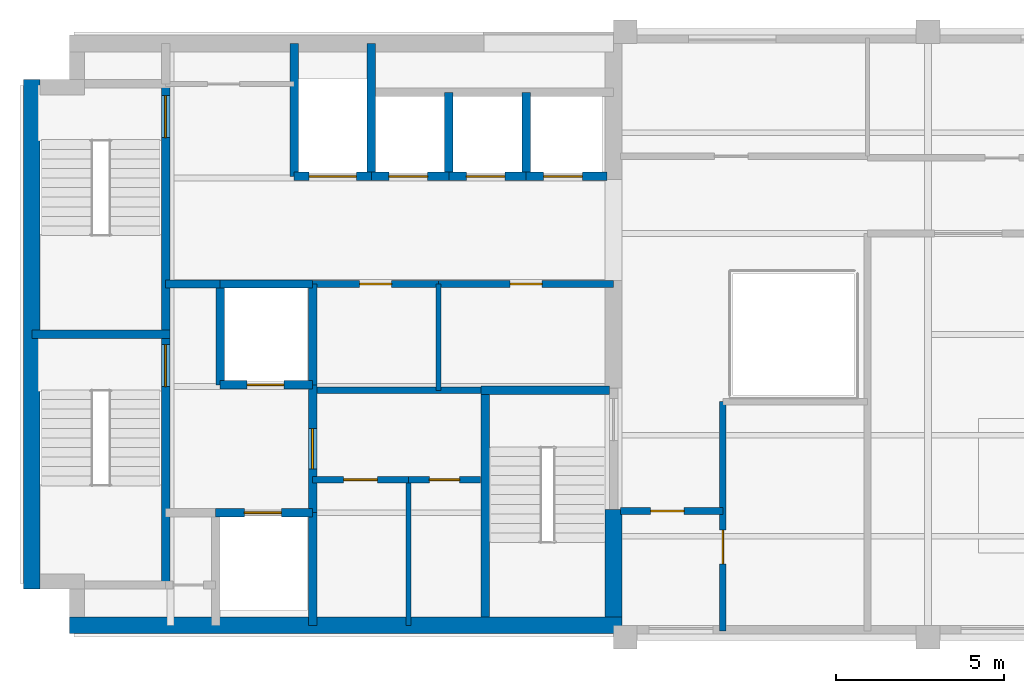
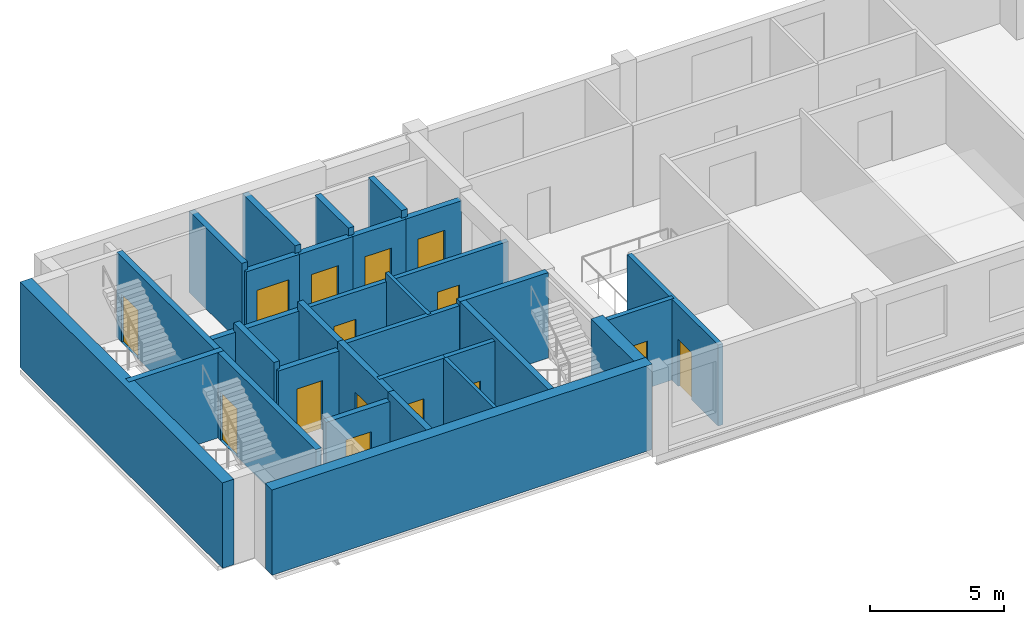
# One storey, part 2 of 5: 33 walls, 15 doors, 15 openings.
"""IFC4 building model written with IfcOpenShell, lengths in metres."""

from ifc_helpers import new_model, si_unit, direction, frame, frame_2d, origin, place, context, subcontext, project, spatial, rectangle, extrude, material, layer, layer_set, type_object, element, fill, save


model = new_model("IFC4")

# Units and contexts
model_context = context("Model", 3, precision=1e-05, world=origin(), true_north=direction((0.0, 1.0)))
body_context = subcontext(model_context, "Body", "Model", "MODEL_VIEW")
ifc_project = project(units=[si_unit("LENGTHUNIT", "METRE"), si_unit("AREAUNIT", "SQUARE_METRE"), si_unit("VOLUMEUNIT", "CUBIC_METRE"), si_unit("PLANEANGLEUNIT", "RADIAN"), si_unit("MASSUNIT", "GRAM", prefix="KILO")], contexts=[model_context])

# Site, building, storey
site_placement = place(None, origin())
site = spatial("IfcSite", under=ifc_project, at=site_placement, CompositionType="ELEMENT")
building_placement = place(site_placement, origin())
building = spatial("IfcBuilding", under=site, at=building_placement, Name="Mawjdan Bourse Tower", CompositionType="ELEMENT")
storey_placement = place(building_placement, frame((0.0, 0.0, 305.39990234375)))
storey = spatial("IfcBuildingStorey", under=building, at=storey_placement, Name="L75", CompositionType="ELEMENT", Elevation=305.39990234375)

# Wall, opening, door
ifc_material_1 = material(Name="Gypsum Fireboard Assembly")
ifc_layer_1 = layer(ifc_material_1, 0.199951171875)
ifc_layer_set_1 = layer_set([ifc_layer_1], Name="Gypsum Fireboard Assembly")
wall_type_1 = type_object("IfcWallType", Name="WL-CMP-200", PredefinedType="PARTITIONING", material=ifc_layer_set_1)
wall_1_placement = place(storey_placement, frame((14.699951171875, 7.679931640625, 0.0), z_axis=(0.0, 0.0, 1.0), x_axis=(1.0, 0.0, 0.0)))
wall_1 = element("IfcWall", 1, at=wall_1_placement, inside=storey, type_object=wall_type_1, Name="L75 Archive & Records Office North Wall", PredefinedType="PARTITIONING", context=body_context, shape_type="SweptSolid", body=[
    extrude(rectangle(XDim=2.85009765625, YDim=0.199951171875, at=frame_2d((1.425048828125, 0.0))), origin(), (0.0, 0.0, 1.0), 3.705078125),
])
opening_1_placement = place(wall_1_placement, frame((0.925048828125, 0.0, 0.0)))
opening_1 = element("IfcOpeningElement", 2, at=opening_1_placement, cuts=wall_1, Name="Opening D-L75-13", PredefinedType="OPENING", context=body_context, shape_type="SweptSolid", body=[
    extrude(rectangle(XDim=1.0, YDim=2.14990234375, at=frame_2d((0.5, 1.074951171875))), frame((0.0, 0.10986328125, 0.0), z_axis=(0.0, -1.0, 0.0), x_axis=(1.0, 0.0, 0.0)), (0.0, 0.0, 1.0), 0.219970703125),
])
ifc_material_2 = material(Name="Hardwood Acoustic Leaf", Category="wood")
door_type_1 = type_object("IfcDoorType", Name="DR-OFC-1000", OperationType="NOTDEFINED", PredefinedType="DOOR", material=ifc_material_2)
door_1_placement = place(opening_1_placement, origin())
door_1 = element("IfcDoor", 3, at=door_1_placement, inside=storey, type_object=door_type_1, Name="L75 Archive & Records Office Door D-L75-13", OperationType="SINGLE_SWING_RIGHT", OverallHeight=2.14990234375, OverallWidth=1.0, PredefinedType="DOOR", context=body_context, shape_type="SweptSolid", body=[
    extrude(rectangle(XDim=1.0, YDim=2.14990234375, at=frame_2d((0.5, 1.074951171875))), frame((0.0, 0.02490234375, 0.0), z_axis=(0.0, -1.0, 0.0), x_axis=(1.0, 0.0, 0.0)), (0.0, 0.0, 1.0), 0.050048828125),
])
fill(opening_1, door_1)

wall_2_placement = place(storey_placement, frame((17.550048828125, 7.679931640625, 0.0), z_axis=(0.0, 0.0, 1.0), x_axis=(1.0, 0.0, 0.0)))
wall_2 = element("IfcWall", 4, at=wall_2_placement, inside=storey, type_object=wall_type_1, Name="L75 IT & Fiber Patch Room North Wall", PredefinedType="PARTITIONING", context=body_context, shape_type="SweptSolid", body=[
    extrude(rectangle(XDim=2.14990234375, YDim=0.199951171875, at=frame_2d((1.074951171875, 0.0))), origin(), (0.0, 0.0, 1.0), 3.705078125),
])
opening_2_placement = place(wall_2_placement, frame((0.625, 0.0, 0.0)))
opening_2 = element("IfcOpeningElement", 5, at=opening_2_placement, cuts=wall_2, Name="Opening D-L75-14", PredefinedType="OPENING", context=body_context, shape_type="SweptSolid", body=[
    extrude(rectangle(XDim=0.89990234375, YDim=2.10009765625, at=frame_2d((0.449951171875, 1.050048828125))), frame((0.0, 0.10986328125, 0.0), z_axis=(0.0, -1.0, 0.0), x_axis=(1.0, 0.0, 0.0)), (0.0, 0.0, 1.0), 0.219970703125),
])
ifc_material_3 = material(Name="Fire-Rated Steel Access Leaf", Category="steel")
door_type_2 = type_object("IfcDoorType", Name="FD-RSR-0900", OperationType="NOTDEFINED", PredefinedType="TRAPDOOR", material=ifc_material_3)
door_2_placement = place(opening_2_placement, origin())
door_2 = element("IfcDoor", 6, at=door_2_placement, inside=storey, type_object=door_type_2, Name="L75 IT & Fiber Patch Room Door D-L75-14", OperationType="SINGLE_SWING_LEFT", OverallHeight=2.10009765625, OverallWidth=0.89990234375, PredefinedType="TRAPDOOR", context=body_context, shape_type="SweptSolid", body=[
    extrude(rectangle(XDim=0.89990234375, YDim=2.10009765625, at=frame_2d((0.449951171875, 1.050048828125))), frame((0.0, 0.02490234375, 0.0), z_axis=(0.0, -1.0, 0.0), x_axis=(1.0, 0.0, 0.0)), (0.0, 0.0, 1.0), 0.050048828125),
])
fill(opening_2, door_2)

# Wall
wall_3_placement = place(storey_placement, frame((14.824951171875, 10.340087890625, 0.0), z_axis=(0.0, 0.0, 1.0), x_axis=(1.0, 0.0, 0.0)))
element("IfcWall", 7, at=wall_3_placement, inside=storey, type_object=wall_type_1, Name="L75 Core Restroom Suite South Wall", PredefinedType="PARTITIONING", context=body_context, shape_type="SweptSolid", body=[
    extrude(rectangle(XDim=4.880126953125, YDim=0.199951171875, at=frame_2d((2.43994140625, 0.0))), origin(), (0.0, 0.0, 1.0), 3.705078125),
])

# Wall, opening, door
wall_4_placement = place(storey_placement, frame((14.699951171875, 13.5, 0.0), z_axis=(0.0, 0.0, 1.0), x_axis=(1.0, 0.0, 0.0)))
wall_4 = element("IfcWall", 8, at=wall_4_placement, inside=storey, type_object=wall_type_1, Name="L75 Accessible WC North Wall", PredefinedType="PARTITIONING", context=body_context, shape_type="SweptSolid", body=[
    extrude(rectangle(XDim=3.75, YDim=0.199951171875, at=frame_2d((1.875, 0.0))), origin(), (0.0, 0.0, 1.0), 3.35400390625),
])
opening_3_placement = place(wall_4_placement, frame((1.39990234375, 0.0, 0.0)))
opening_3 = element("IfcOpeningElement", 9, at=opening_3_placement, cuts=wall_4, Name="Opening D-L75-15", PredefinedType="OPENING", context=body_context, shape_type="SweptSolid", body=[
    extrude(rectangle(XDim=0.949951171875, YDim=2.10009765625, at=frame_2d((0.47509765625, 1.050048828125))), frame((0.0, 0.10986328125, 0.0), z_axis=(0.0, -1.0, 0.0), x_axis=(1.0, 0.0, 0.0)), (0.0, 0.0, 1.0), 0.219970703125),
])
ifc_material_4 = material(Name="Moisture-Resistant Laminate Timber", Category="wood")
door_type_3 = type_object("IfcDoorType", Name="DR-WET-0950", OperationType="NOTDEFINED", PredefinedType="DOOR", material=ifc_material_4)
door_3_placement = place(opening_3_placement, origin())
door_3 = element("IfcDoor", 10, at=door_3_placement, inside=storey, type_object=door_type_3, Name="L75 Accessible WC Door D-L75-15", OperationType="SINGLE_SWING_RIGHT", OverallHeight=2.10009765625, OverallWidth=0.949951171875, PredefinedType="DOOR", context=body_context, shape_type="SweptSolid", body=[
    extrude(rectangle(XDim=0.949951171875, YDim=2.10009765625, at=frame_2d((0.47509765625, 1.050048828125))), frame((0.0, 0.02490234375, 0.0), z_axis=(0.0, -1.0, 0.0), x_axis=(1.0, 0.0, 0.0)), (0.0, 0.0, 1.0), 0.050048828125),
])
fill(opening_3, door_3)

wall_5_placement = place(storey_placement, frame((18.449951171875, 13.5, 0.0), z_axis=(0.0, 0.0, 1.0), x_axis=(1.0, 0.0, 0.0)))
wall_5 = element("IfcWall", 11, at=wall_5_placement, inside=storey, type_object=wall_type_1, Name="L75 Unisex Restroom Suite North Wall", PredefinedType="PARTITIONING", context=body_context, shape_type="SweptSolid", body=[
    extrude(rectangle(XDim=5.199951171875, YDim=0.199951171875, at=frame_2d((2.60009765625, 0.0))), origin(), (0.0, 0.0, 1.0), 3.35400390625),
])
opening_4_placement = place(wall_5_placement, frame((2.125, 0.0, 0.0)))
opening_4 = element("IfcOpeningElement", 12, at=opening_4_placement, cuts=wall_5, Name="Opening D-L75-16", PredefinedType="OPENING", context=body_context, shape_type="SweptSolid", body=[
    extrude(rectangle(XDim=0.949951171875, YDim=2.10009765625, at=frame_2d((0.47509765625, 1.050048828125))), frame((0.0, 0.10986328125, 0.0), z_axis=(0.0, -1.0, 0.0), x_axis=(1.0, 0.0, 0.0)), (0.0, 0.0, 1.0), 0.219970703125),
])
door_4_placement = place(opening_4_placement, origin())
door_4 = element("IfcDoor", 13, at=door_4_placement, inside=storey, type_object=door_type_3, Name="L75 Unisex Restroom Suite Door D-L75-16", OperationType="SINGLE_SWING_LEFT", OverallHeight=2.10009765625, OverallWidth=0.949951171875, PredefinedType="DOOR", context=body_context, shape_type="SweptSolid", body=[
    extrude(rectangle(XDim=0.949951171875, YDim=2.10009765625, at=frame_2d((0.47509765625, 1.050048828125))), frame((0.0, 0.02490234375, 0.0), z_axis=(0.0, -1.0, 0.0), x_axis=(1.0, 0.0, 0.0)), (0.0, 0.0, 1.0), 0.050048828125),
])
fill(opening_4, door_4)

wall_6_placement = place(storey_placement, frame((23.85009765625, 6.75, 0.0), z_axis=(0.0, 0.0, 1.0), x_axis=(1.0, 0.0, 0.0)))
wall_6 = element("IfcWall", 14, at=wall_6_placement, inside=storey, type_object=wall_type_1, Name="L75 Summit SW Study North Wall", PredefinedType="PARTITIONING", context=body_context, shape_type="SweptSolid", body=[
    extrude(rectangle(XDim=3.0498046875, YDim=0.199951171875, at=frame_2d((1.52490234375, 0.0))), origin(), (0.0, 0.0, 1.0), 3.705078125),
])
opening_5_placement = place(wall_6_placement, frame((0.89990234375, 0.0, 0.0)))
opening_5 = element("IfcOpeningElement", 15, at=opening_5_placement, cuts=wall_6, Name="Opening D-L75-18", PredefinedType="OPENING", context=body_context, shape_type="SweptSolid", body=[
    extrude(rectangle(XDim=1.0, YDim=2.14990234375, at=frame_2d((0.5, 1.074951171875))), frame((0.0, 0.10986328125, 0.0), z_axis=(0.0, -1.0, 0.0), x_axis=(1.0, 0.0, 0.0)), (0.0, 0.0, 1.0), 0.219970703125),
])
door_5_placement = place(opening_5_placement, origin())
door_5 = element("IfcDoor", 16, at=door_5_placement, inside=storey, type_object=door_type_1, Name="L75 Summit SW Study Door D-L75-18", OperationType="SINGLE_SWING_LEFT", OverallHeight=2.14990234375, OverallWidth=1.0, PredefinedType="DOOR", context=body_context, shape_type="SweptSolid", body=[
    extrude(rectangle(XDim=1.0, YDim=2.14990234375, at=frame_2d((0.5, 1.074951171875))), frame((0.0, 0.02490234375, 0.0), z_axis=(0.0, -1.0, 0.0), x_axis=(1.0, 0.0, 0.0)), (0.0, 0.0, 1.0), 0.050048828125),
])
fill(opening_5, door_5)

wall_7_placement = place(storey_placement, frame((26.89990234375, 3.179931640625, 0.0), z_axis=(0.0, 0.0, 1.0), x_axis=(0.0, 1.0, 0.0)))
wall_7 = element("IfcWall", 17, at=wall_7_placement, inside=storey, type_object=wall_type_1, Name="L75 Summit South Atrium Suite West Wall", PredefinedType="PARTITIONING", context=body_context, shape_type="SweptSolid", body=[
    extrude(rectangle(XDim=6.820068359375, YDim=0.199951171875, at=frame_2d((3.41015625, 0.0))), origin(), (0.0, 0.0, 1.0), 3.705078125),
])
opening_6_placement = place(wall_7_placement, frame((2.0, 0.0, 0.0)))
opening_6 = element("IfcOpeningElement", 18, at=opening_6_placement, cuts=wall_7, Name="Opening D-L75-19", PredefinedType="OPENING", context=body_context, shape_type="SweptSolid", body=[
    extrude(rectangle(XDim=1.0, YDim=2.14990234375, at=frame_2d((0.5, 1.074951171875))), frame((0.0, 0.10986328125, 0.0), z_axis=(0.0, -1.0, 0.0), x_axis=(1.0, 0.0, 0.0)), (0.0, 0.0, 1.0), 0.219970703125),
])
door_6_placement = place(opening_6_placement, origin())
door_6 = element("IfcDoor", 19, at=door_6_placement, inside=storey, type_object=door_type_1, Name="L75 Summit South Atrium Suite Door D-L75-19", OperationType="SINGLE_SWING_RIGHT", OverallHeight=2.14990234375, OverallWidth=1.0, PredefinedType="DOOR", context=body_context, shape_type="SweptSolid", body=[
    extrude(rectangle(XDim=1.0, YDim=2.14990234375, at=frame_2d((0.5, 1.074951171875))), frame((0.0, 0.02490234375, 0.0), z_axis=(0.0, -1.0, 0.0), x_axis=(1.0, 0.0, 0.0)), (0.0, 0.0, 1.0), 0.050048828125),
])
fill(opening_6, door_6)

# Walls
ifc_material_5 = material(Name="Concrete C60/75", Category="concrete")
ifc_layer_2 = layer(ifc_material_5, 0.5)
ifc_layer_set_2 = layer_set([ifc_layer_2], Name="Concrete C60/75")
wall_type_2 = type_object("IfcWallType", Name="WL-CORE-500", PredefinedType="SHEAR", material=ifc_layer_set_2)
wall_8_placement = place(storey_placement, frame((7.47509765625, 3.35009765625, 0.0), z_axis=(0.0, 0.0, 1.0), x_axis=(1.0, 0.0, 0.0)))
element("IfcWall", 20, at=wall_8_placement, inside=storey, type_object=wall_type_2, Name="L75 Rear Core Shear Wall S", PredefinedType="SHEAR", context=body_context, shape_type="SweptSolid", body=[
    extrude(rectangle(XDim=16.4248046875, YDim=0.5, at=frame_2d((8.21240234375, 0.0))), origin(), (0.0, 0.0, 1.0), 3.900146484375),
])
wall_9_placement = place(storey_placement, frame((6.35009765625, 4.425048828125, 0.0), z_axis=(0.0, 0.0, 1.0), x_axis=(0.0, 1.0, 0.0)))
element("IfcWall", 21, at=wall_9_placement, inside=storey, type_object=wall_type_2, Name="L75 Rear Core Shear Wall W", PredefinedType="SHEAR", context=body_context, shape_type="SweptSolid", body=[
    extrude(rectangle(XDim=15.14990234375, YDim=0.5, at=frame_2d((7.574951171875, 0.0))), origin(), (0.0, 0.0, 1.0), 3.900146484375),
])
wall_10_placement = place(storey_placement, frame((23.64990234375, 3.60009765625, 0.0), z_axis=(0.0, 0.0, 1.0), x_axis=(0.0, 1.0, 0.0)))
element("IfcWall", 22, at=wall_10_placement, inside=storey, type_object=wall_type_2, Name="L75 Rear Core Shear Wall E1", PredefinedType="SHEAR", context=body_context, shape_type="SweptSolid", body=[
    extrude(rectangle(XDim=3.199951171875, YDim=0.5, at=frame_2d((1.60009765625, 0.0))), origin(), (0.0, 0.0, 1.0), 3.900146484375),
])
ifc_material_6 = material(Name="Gypsum Acoustic Partition")
ifc_layer_3 = layer(ifc_material_6, 0.14990234375)
ifc_layer_set_3 = layer_set([ifc_layer_3], Name="Gypsum Acoustic Partition")
wall_type_3 = type_object("IfcWallType", Name="WL-PRT-150", PredefinedType="PARTITIONING", material=ifc_layer_set_3)
wall_11_placement = place(storey_placement, frame((17.550048828125, 3.35009765625, 0.0), z_axis=(0.0, 0.0, 1.0), x_axis=(0.0, 1.0, 0.0)))
element("IfcWall", 23, at=wall_11_placement, inside=storey, type_object=wall_type_3, Name="L75 IT & Fiber Patch Room Core Split Wall", PredefinedType="PARTITIONING", context=body_context, shape_type="SweptSolid", body=[
    extrude(rectangle(XDim=4.329833984375, YDim=0.14990234375, at=frame_2d((2.1650390625, 0.0))), origin(), (0.0, 0.0, 1.0), 3.705078125),
])
wall_12_placement = place(storey_placement, frame((18.449951171875, 10.340087890625, 0.0), z_axis=(0.0, 0.0, 1.0), x_axis=(0.0, 1.0, 0.0)))
element("IfcWall", 24, at=wall_12_placement, inside=storey, type_object=wall_type_3, Name="L75 Unisex Restroom Suite Split Wall", PredefinedType="PARTITIONING", context=body_context, shape_type="SweptSolid", body=[
    extrude(rectangle(XDim=3.159912109375, YDim=0.14990234375, at=frame_2d((1.580078125, 0.0))), origin(), (0.0, 0.0, 1.0), 3.705078125),
])

# Wall, opening, door
ifc_material_7 = material(Name="Concrete C50/60", Category="concrete")
ifc_layer_4 = layer(ifc_material_7, 0.25)
ifc_layer_set_4 = layer_set([ifc_layer_4], Name="Concrete C50/60")
wall_type_4 = type_object("IfcWallType", Name="WL-SHFT-250", PredefinedType="PARTITIONING", material=ifc_layer_set_4)
wall_13_placement = place(storey_placement, frame((11.820068359375, 6.699951171875, 0.0), z_axis=(0.0, 0.0, 1.0), x_axis=(1.0, 0.0, 0.0)))
wall_13 = element("IfcWall", 25, at=wall_13_placement, inside=storey, type_object=wall_type_4, Name="L75 FFL-01 Front Shaft Wall", PredefinedType="PARTITIONING", context=body_context, shape_type="SweptSolid", body=[
    extrude(rectangle(XDim=2.8798828125, YDim=0.25, at=frame_2d((1.43994140625, 0.0))), origin(), (0.0, 0.0, 1.0), 3.35400390625),
])
opening_7_placement = place(wall_13_placement, frame((0.85009765625, 0.0, 0.0)))
opening_7 = element("IfcOpeningElement", 26, at=opening_7_placement, cuts=wall_13, Name="Opening LD-L75-05", PredefinedType="OPENING", context=body_context, shape_type="SweptSolid", body=[
    extrude(rectangle(XDim=1.10009765625, YDim=2.25, at=frame_2d((0.550048828125, 1.125))), frame((0.0, 0.135009765625, 0.0), z_axis=(0.0, -1.0, 0.0), x_axis=(1.0, 0.0, 0.0)), (0.0, 0.0, 1.0), 0.27001953125),
])
ifc_material_8 = material(Name="Brushed Stainless Steel", Category="steel")
door_type_4 = type_object("IfcDoorType", Name="LD-FFL-1100", OperationType="DOUBLE_DOOR_SLIDING", PredefinedType="DOOR", material=ifc_material_8)
door_7_placement = place(opening_7_placement, origin())
door_7 = element("IfcDoor", 27, at=door_7_placement, inside=storey, type_object=door_type_4, Name="L75 Firefighting Lift FFL-01 Landing Door LD-L75-05", OperationType="DOUBLE_DOOR_SLIDING", OverallHeight=2.25, OverallWidth=1.10009765625, PredefinedType="DOOR", context=body_context, shape_type="SweptSolid", body=[
    extrude(rectangle(XDim=1.10009765625, YDim=2.25, at=frame_2d((0.550048828125, 1.125))), frame((0.0, 0.02490234375, 0.0), z_axis=(0.0, -1.0, 0.0), x_axis=(1.0, 0.0, 0.0)), (0.0, 0.0, 1.0), 0.050048828125),
])
fill(opening_7, door_7)

# Wall
wall_14_placement = place(storey_placement, frame((14.699951171875, 3.35009765625, 0.0), z_axis=(0.0, 0.0, 1.0), x_axis=(0.0, 1.0, 0.0)))
element("IfcWall", 28, at=wall_14_placement, inside=storey, type_object=wall_type_4, Name="L75 FFL-01 East Shaft Wall", PredefinedType="PARTITIONING", context=body_context, shape_type="SweptSolid", body=[
    extrude(rectangle(XDim=3.349853515625, YDim=0.25, at=frame_2d((1.6748046875, 0.0))), origin(), (0.0, 0.0, 1.0), 3.705078125),
])

# Wall, opening, door
wall_15_placement = place(storey_placement, frame((11.949951171875, 10.5, 0.0), z_axis=(0.0, 0.0, 1.0), x_axis=(1.0, 0.0, 0.0)))
wall_15 = element("IfcWall", 29, at=wall_15_placement, inside=storey, type_object=wall_type_4, Name="L75 FFL-02 Front Shaft Wall", PredefinedType="PARTITIONING", context=body_context, shape_type="SweptSolid", body=[
    extrude(rectangle(XDim=2.75, YDim=0.25, at=frame_2d((1.375, 0.0))), origin(), (0.0, 0.0, 1.0), 3.35400390625),
])
opening_8_placement = place(wall_15_placement, frame((0.800048828125, 0.0, 0.0)))
opening_8 = element("IfcOpeningElement", 30, at=opening_8_placement, cuts=wall_15, Name="Opening LD-L75-06", PredefinedType="OPENING", context=body_context, shape_type="SweptSolid", body=[
    extrude(rectangle(XDim=1.10009765625, YDim=2.25, at=frame_2d((0.550048828125, 1.125))), frame((0.0, 0.135009765625, 0.0), z_axis=(0.0, -1.0, 0.0), x_axis=(1.0, 0.0, 0.0)), (0.0, 0.0, 1.0), 0.27001953125),
])
door_8_placement = place(opening_8_placement, origin())
door_8 = element("IfcDoor", 31, at=door_8_placement, inside=storey, type_object=door_type_4, Name="L75 Firefighting Lift FFL-02 Landing Door LD-L75-06", OperationType="DOUBLE_DOOR_SLIDING", OverallHeight=2.25, OverallWidth=1.10009765625, PredefinedType="DOOR", context=body_context, shape_type="SweptSolid", body=[
    extrude(rectangle(XDim=1.10009765625, YDim=2.25, at=frame_2d((0.550048828125, 1.125))), frame((0.0, 0.02490234375, 0.0), z_axis=(0.0, -1.0, 0.0), x_axis=(1.0, 0.0, 0.0)), (0.0, 0.0, 1.0), 0.050048828125),
])
fill(opening_8, door_8)

# Walls
wall_16_placement = place(storey_placement, frame((11.949951171875, 10.5, 0.0), z_axis=(0.0, 0.0, 1.0), x_axis=(0.0, 1.0, 0.0)))
element("IfcWall", 32, at=wall_16_placement, inside=storey, type_object=wall_type_4, Name="L75 FFL-02 West Shaft Wall", PredefinedType="PARTITIONING", context=body_context, shape_type="SweptSolid", body=[
    extrude(rectangle(XDim=3.0, YDim=0.25, at=frame_2d((1.5, 0.0))), origin(), (0.0, 0.0, 1.0), 3.705078125),
])
wall_17_placement = place(storey_placement, frame((11.949951171875, 13.5, 0.0), z_axis=(0.0, 0.0, 1.0), x_axis=(1.0, 0.0, 0.0)))
element("IfcWall", 33, at=wall_17_placement, inside=storey, type_object=wall_type_4, Name="L75 FFL-02 North Shaft Wall", PredefinedType="PARTITIONING", context=body_context, shape_type="SweptSolid", body=[
    extrude(rectangle(XDim=2.75, YDim=0.25, at=frame_2d((1.375, 0.0))), origin(), (0.0, 0.0, 1.0), 3.35400390625),
])
wall_18_placement = place(storey_placement, frame((14.699951171875, 10.5, 0.0), z_axis=(0.0, 0.0, 1.0), x_axis=(0.0, 1.0, 0.0)))
element("IfcWall", 34, at=wall_18_placement, inside=storey, type_object=wall_type_4, Name="L75 FFL-02 East Shaft Wall", PredefinedType="PARTITIONING", context=body_context, shape_type="SweptSolid", body=[
    extrude(rectangle(XDim=3.0, YDim=0.25, at=frame_2d((1.5, 0.0))), origin(), (0.0, 0.0, 1.0), 3.705078125),
])

# Wall, opening, door
wall_19_placement = place(storey_placement, frame((14.699951171875, 6.699951171875, 0.0), z_axis=(0.0, 0.0, 1.0), x_axis=(0.0, 1.0, 0.0)))
wall_19 = element("IfcWall", 35, at=wall_19_placement, inside=storey, type_object=wall_type_4, Name="L75 Firefighting Lobby East Compartment Wall", PredefinedType="PARTITIONING", context=body_context, shape_type="SweptSolid", body=[
    extrude(rectangle(XDim=3.800048828125, YDim=0.25, at=frame_2d((1.89990234375, 0.0))), origin(), (0.0, 0.0, 1.0), 3.705078125),
])
opening_9_placement = place(wall_19_placement, frame((1.300048828125, 0.0, 0.0)))
opening_9 = element("IfcOpeningElement", 36, at=opening_9_placement, cuts=wall_19, Name="Opening FD-L75-07", PredefinedType="OPENING", context=body_context, shape_type="SweptSolid", body=[
    extrude(rectangle(XDim=1.199951171875, YDim=2.199951171875, at=frame_2d((0.60009765625, 1.10009765625))), frame((0.0, 0.135009765625, 0.0), z_axis=(0.0, -1.0, 0.0), x_axis=(1.0, 0.0, 0.0)), (0.0, 0.0, 1.0), 0.27001953125),
])
ifc_material_9 = material(Name="Fire-Rated Steel Leaf", Category="steel")
door_type_5 = type_object("IfcDoorType", Name="FD-FFL-1200", OperationType="NOTDEFINED", PredefinedType="DOOR", material=ifc_material_9)
door_9_placement = place(opening_9_placement, origin())
door_9 = element("IfcDoor", 37, at=door_9_placement, inside=storey, type_object=door_type_5, Name="L75 Firefighting Lobby East Smoke Door FD-L75-07", OperationType="SINGLE_SWING_RIGHT", OverallHeight=2.199951171875, OverallWidth=1.199951171875, PredefinedType="DOOR", context=body_context, shape_type="SweptSolid", body=[
    extrude(rectangle(XDim=1.199951171875, YDim=2.199951171875, at=frame_2d((0.60009765625, 1.10009765625))), frame((0.0, 0.02490234375, 0.0), z_axis=(0.0, -1.0, 0.0), x_axis=(1.0, 0.0, 0.0)), (0.0, 0.0, 1.0), 0.050048828125),
])
fill(opening_9, door_9)

# Wall
wall_20_placement = place(storey_placement, frame((10.330078125, 13.5, 0.0), z_axis=(0.0, 0.0, 1.0), x_axis=(1.0, 0.0, 0.0)))
element("IfcWall", 38, at=wall_20_placement, inside=storey, type_object=wall_type_4, Name="L75 Firefighting Lobby North Compartment Wall", PredefinedType="PARTITIONING", context=body_context, shape_type="SweptSolid", body=[
    extrude(rectangle(XDim=1.619873046875, YDim=0.25, at=frame_2d((0.81005859375, 0.0))), origin(), (0.0, 0.0, 1.0), 3.35400390625),
])

# Wall, opening, door
wall_21_placement = place(storey_placement, frame((14.14990234375, 16.699951171875, 0.0), z_axis=(0.0, 0.0, 1.0), x_axis=(1.0, 0.0, 0.0)))
wall_21 = element("IfcWall", 39, at=wall_21_placement, inside=storey, type_object=wall_type_4, Name="L75 SVL-01 Front Shaft Wall", PredefinedType="PARTITIONING", context=body_context, shape_type="SweptSolid", body=[
    extrude(rectangle(XDim=2.300048828125, YDim=0.25, at=frame_2d((1.14990234375, 0.0))), origin(), (0.0, 0.0, 1.0), 3.35400390625),
])
opening_10_placement = place(wall_21_placement, frame((0.449951171875, 0.0, 0.0)))
opening_10 = element("IfcOpeningElement", 40, at=opening_10_placement, cuts=wall_21, Name="Opening LD-L75-09", PredefinedType="OPENING", context=body_context, shape_type="SweptSolid", body=[
    extrude(rectangle(XDim=1.39990234375, YDim=2.35009765625, at=frame_2d((0.699951171875, 1.175048828125))), frame((0.0, 0.135009765625, 0.0), z_axis=(0.0, -1.0, 0.0), x_axis=(1.0, 0.0, 0.0)), (0.0, 0.0, 1.0), 0.27001953125),
])
ifc_material_10 = material(Name="Heavy-Duty Stainless Steel", Category="steel")
door_type_6 = type_object("IfcDoorType", Name="LD-SRV-1400", OperationType="DOUBLE_DOOR_SLIDING", PredefinedType="DOOR", material=ifc_material_10)
door_10_placement = place(opening_10_placement, origin())
door_10 = element("IfcDoor", 41, at=door_10_placement, inside=storey, type_object=door_type_6, Name="L75 Service Lift SVL-01 Landing Door LD-L75-09", OperationType="DOUBLE_DOOR_SLIDING", OverallHeight=2.35009765625, OverallWidth=1.39990234375, PredefinedType="DOOR", context=body_context, shape_type="SweptSolid", body=[
    extrude(rectangle(XDim=1.39990234375, YDim=2.35009765625, at=frame_2d((0.699951171875, 1.175048828125))), frame((0.0, 0.02490234375, 0.0), z_axis=(0.0, -1.0, 0.0), x_axis=(1.0, 0.0, 0.0)), (0.0, 0.0, 1.0), 0.050048828125),
])
fill(opening_10, door_10)

# Walls
for number, where, z_axis, x_axis, name in (
    (42, (14.14990234375, 16.699951171875, 0.0), (0.0, 0.0, 1.0), (0.0, 1.0, 0.0), "L75 SVL-01 West Shaft Wall"),
    (43, (16.449951171875, 16.699951171875, 0.0), (0.0, 0.0, 1.0), (0.0, 1.0, 0.0), "L75 SVL-01 East Shaft Wall"),
):
    element("IfcWall", number, at=place(storey_placement, frame(where, z_axis=z_axis, x_axis=x_axis)), inside=storey, type_object=wall_type_4, Name=name, PredefinedType="PARTITIONING", context=body_context, shape_type="SweptSolid", body=[
        extrude(rectangle(XDim=3.949951171875, YDim=0.25, at=frame_2d((1.97509765625, 0.0))), origin(), (0.0, 0.0, 1.0), 3.705078125),
    ])

# Wall, opening, door
wall_22_placement = place(storey_placement, frame((16.449951171875, 16.699951171875, 0.0), z_axis=(0.0, 0.0, 1.0), x_axis=(1.0, 0.0, 0.0)))
wall_22 = element("IfcWall", 44, at=wall_22_placement, inside=storey, type_object=wall_type_4, Name="L75 PH-01 Front Wall", PredefinedType="PARTITIONING", context=body_context, shape_type="SweptSolid", body=[
    extrude(rectangle(XDim=2.300048828125, YDim=0.25, at=frame_2d((1.14990234375, 0.0))), origin(), (0.0, 0.0, 1.0), 3.35400390625),
])
opening_11_placement = place(wall_22_placement, frame((0.52001953125, 0.0, 0.0)))
opening_11 = element("IfcOpeningElement", 45, at=opening_11_placement, cuts=wall_22, Name="Opening LD-L75-10", PredefinedType="OPENING", context=body_context, shape_type="SweptSolid", body=[
    extrude(rectangle(XDim=1.14990234375, YDim=2.25, at=frame_2d((0.574951171875, 1.125))), frame((0.0, 0.135009765625, 0.0), z_axis=(0.0, -1.0, 0.0), x_axis=(1.0, 0.0, 0.0)), (0.0, 0.0, 1.0), 0.27001953125),
])
door_type_7 = type_object("IfcDoorType", Name="LD-PAS-1150", OperationType="DOUBLE_DOOR_SLIDING", PredefinedType="DOOR", material=ifc_material_8)
door_11_placement = place(opening_11_placement, origin())
door_11 = element("IfcDoor", 46, at=door_11_placement, inside=storey, type_object=door_type_7, Name="L75 Lift PH-01 Landing Door LD-L75-10", OperationType="DOUBLE_DOOR_SLIDING", OverallHeight=2.25, OverallWidth=1.14990234375, PredefinedType="DOOR", context=body_context, shape_type="SweptSolid", body=[
    extrude(rectangle(XDim=1.14990234375, YDim=2.25, at=frame_2d((0.574951171875, 1.125))), frame((0.0, 0.02490234375, 0.0), z_axis=(0.0, -1.0, 0.0), x_axis=(1.0, 0.0, 0.0)), (0.0, 0.0, 1.0), 0.050048828125),
])
fill(opening_11, door_11)

# Wall
wall_23_placement = place(storey_placement, frame((18.75, 16.699951171875, 0.0), z_axis=(0.0, 0.0, 1.0), x_axis=(0.0, 1.0, 0.0)))
element("IfcWall", 47, at=wall_23_placement, inside=storey, type_object=wall_type_4, Name="L75 PH-01 Divider Wall", PredefinedType="PARTITIONING", context=body_context, shape_type="SweptSolid", body=[
    extrude(rectangle(XDim=2.5, YDim=0.25, at=frame_2d((1.25, 0.0))), origin(), (0.0, 0.0, 1.0), 3.705078125),
])

# Wall, opening, door
wall_24_placement = place(storey_placement, frame((18.75, 16.699951171875, 0.0), z_axis=(0.0, 0.0, 1.0), x_axis=(1.0, 0.0, 0.0)))
wall_24 = element("IfcWall", 48, at=wall_24_placement, inside=storey, type_object=wall_type_4, Name="L75 PH-02 Front Wall", PredefinedType="PARTITIONING", context=body_context, shape_type="SweptSolid", body=[
    extrude(rectangle(XDim=2.300048828125, YDim=0.25, at=frame_2d((1.14990234375, 0.0))), origin(), (0.0, 0.0, 1.0), 3.35400390625),
])
opening_12_placement = place(wall_24_placement, frame((0.52001953125, 0.0, 0.0)))
opening_12 = element("IfcOpeningElement", 49, at=opening_12_placement, cuts=wall_24, Name="Opening LD-L75-11", PredefinedType="OPENING", context=body_context, shape_type="SweptSolid", body=[
    extrude(rectangle(XDim=1.14990234375, YDim=2.25, at=frame_2d((0.574951171875, 1.125))), frame((0.0, 0.135009765625, 0.0), z_axis=(0.0, -1.0, 0.0), x_axis=(1.0, 0.0, 0.0)), (0.0, 0.0, 1.0), 0.27001953125),
])
door_12_placement = place(opening_12_placement, origin())
door_12 = element("IfcDoor", 50, at=door_12_placement, inside=storey, type_object=door_type_7, Name="L75 Lift PH-02 Landing Door LD-L75-11", OperationType="DOUBLE_DOOR_SLIDING", OverallHeight=2.25, OverallWidth=1.14990234375, PredefinedType="DOOR", context=body_context, shape_type="SweptSolid", body=[
    extrude(rectangle(XDim=1.14990234375, YDim=2.25, at=frame_2d((0.574951171875, 1.125))), frame((0.0, 0.02490234375, 0.0), z_axis=(0.0, -1.0, 0.0), x_axis=(1.0, 0.0, 0.0)), (0.0, 0.0, 1.0), 0.050048828125),
])
fill(opening_12, door_12)

# Wall
wall_25_placement = place(storey_placement, frame((21.050048828125, 16.699951171875, 0.0), z_axis=(0.0, 0.0, 1.0), x_axis=(0.0, 1.0, 0.0)))
element("IfcWall", 51, at=wall_25_placement, inside=storey, type_object=wall_type_4, Name="L75 PH-02 Divider Wall", PredefinedType="PARTITIONING", context=body_context, shape_type="SweptSolid", body=[
    extrude(rectangle(XDim=2.5, YDim=0.25, at=frame_2d((1.25, 0.0))), origin(), (0.0, 0.0, 1.0), 3.705078125),
])

# Wall, opening, door
wall_26_placement = place(storey_placement, frame((21.050048828125, 16.699951171875, 0.0), z_axis=(0.0, 0.0, 1.0), x_axis=(1.0, 0.0, 0.0)))
wall_26 = element("IfcWall", 52, at=wall_26_placement, inside=storey, type_object=wall_type_4, Name="L75 PH-03 Front Wall", PredefinedType="PARTITIONING", context=body_context, shape_type="SweptSolid", body=[
    extrude(rectangle(XDim=2.39990234375, YDim=0.25, at=frame_2d((1.199951171875, 0.0))), origin(), (0.0, 0.0, 1.0), 3.35400390625),
])
opening_13_placement = place(wall_26_placement, frame((0.52001953125, 0.0, 0.0)))
opening_13 = element("IfcOpeningElement", 53, at=opening_13_placement, cuts=wall_26, Name="Opening LD-L75-12", PredefinedType="OPENING", context=body_context, shape_type="SweptSolid", body=[
    extrude(rectangle(XDim=1.14990234375, YDim=2.25, at=frame_2d((0.574951171875, 1.125))), frame((0.0, 0.135009765625, 0.0), z_axis=(0.0, -1.0, 0.0), x_axis=(1.0, 0.0, 0.0)), (0.0, 0.0, 1.0), 0.27001953125),
])
door_13_placement = place(opening_13_placement, origin())
door_13 = element("IfcDoor", 54, at=door_13_placement, inside=storey, type_object=door_type_7, Name="L75 Lift PH-03 Landing Door LD-L75-12", OperationType="DOUBLE_DOOR_SLIDING", OverallHeight=2.25, OverallWidth=1.14990234375, PredefinedType="DOOR", context=body_context, shape_type="SweptSolid", body=[
    extrude(rectangle(XDim=1.14990234375, YDim=2.25, at=frame_2d((0.574951171875, 1.125))), frame((0.0, 0.02490234375, 0.0), z_axis=(0.0, -1.0, 0.0), x_axis=(1.0, 0.0, 0.0)), (0.0, 0.0, 1.0), 0.050048828125),
])
fill(opening_13, door_13)

# Wall
ifc_layer_5 = layer(ifc_material_7, 0.25)
ifc_layer_set_5 = layer_set([ifc_layer_5], Name="Concrete C50/60")
wall_type_5 = type_object("IfcWallType", Name="WL-STRW-250", PredefinedType="SHEAR", material=ifc_layer_set_5)
wall_27_placement = place(storey_placement, frame((6.35009765625, 12.0, 0.0), z_axis=(0.0, 0.0, 1.0), x_axis=(1.0, 0.0, 0.0)))
element("IfcWall", 55, at=wall_27_placement, inside=storey, type_object=wall_type_5, Name="L75 Stairwell Dividing Shaft Wall", PredefinedType="SHEAR", context=body_context, shape_type="SweptSolid", body=[
    extrude(rectangle(XDim=4.10498046875, YDim=0.25, at=frame_2d((2.052490234375, 0.0))), origin(), (0.0, 0.0, 1.0), 3.900146484375),
])

# Wall, opening, door
wall_28_placement = place(storey_placement, frame((10.330078125, 4.550048828125, 0.0), z_axis=(0.0, 0.0, 1.0), x_axis=(0.0, 1.0, 0.0)))
wall_28 = element("IfcWall", 56, at=wall_28_placement, inside=storey, type_object=wall_type_5, Name="L75 Stairwell ST1 East Enclosure Wall", PredefinedType="SHEAR", context=body_context, shape_type="SweptSolid", body=[
    extrude(rectangle(XDim=7.449951171875, YDim=0.25, at=frame_2d((3.72509765625, 0.0))), origin(), (0.0, 0.0, 1.0), 3.900146484375),
])
opening_14_placement = place(wall_28_placement, frame((5.89990234375, 0.0, 0.0)))
opening_14 = element("IfcOpeningElement", 57, at=opening_14_placement, cuts=wall_28, Name="Opening SD-L75-01", PredefinedType="OPENING", context=body_context, shape_type="SweptSolid", body=[
    extrude(rectangle(XDim=1.25, YDim=2.199951171875, at=frame_2d((0.625, 1.10009765625))), frame((0.0, 0.135009765625, 0.0), z_axis=(0.0, -1.0, 0.0), x_axis=(1.0, 0.0, 0.0)), (0.0, 0.0, 1.0), 0.27001953125),
])
door_type_8 = type_object("IfcDoorType", Name="FD-ST-1250", OperationType="NOTDEFINED", PredefinedType="DOOR", material=ifc_material_9)
door_14_placement = place(opening_14_placement, origin())
door_14 = element("IfcDoor", 58, at=door_14_placement, inside=storey, type_object=door_type_8, Name="L75 Exit Stair ST1 Fire Door SD-L75-01", OperationType="SINGLE_SWING_RIGHT", OverallHeight=2.199951171875, OverallWidth=1.25, PredefinedType="DOOR", context=body_context, shape_type="SweptSolid", body=[
    extrude(rectangle(XDim=1.25, YDim=2.199951171875, at=frame_2d((0.625, 1.10009765625))), frame((0.0, 0.02490234375, 0.0), z_axis=(0.0, -1.0, 0.0), x_axis=(1.0, 0.0, 0.0)), (0.0, 0.0, 1.0), 0.050048828125),
])
fill(opening_14, door_14)

wall_29_placement = place(storey_placement, frame((10.330078125, 12.0, 0.0), z_axis=(0.0, 0.0, 1.0), x_axis=(0.0, 1.0, 0.0)))
wall_29 = element("IfcWall", 59, at=wall_29_placement, inside=storey, type_object=wall_type_5, Name="L75 Stairwell ST2 East Enclosure Wall", PredefinedType="SHEAR", context=body_context, shape_type="SweptSolid", body=[
    extrude(rectangle(XDim=7.449951171875, YDim=0.25, at=frame_2d((3.72509765625, 0.0))), origin(), (0.0, 0.0, 1.0), 3.900146484375),
])
opening_15_placement = place(wall_29_placement, frame((5.85009765625, 0.0, 0.0)))
opening_15 = element("IfcOpeningElement", 60, at=opening_15_placement, cuts=wall_29, Name="Opening SD-L75-02", PredefinedType="OPENING", context=body_context, shape_type="SweptSolid", body=[
    extrude(rectangle(XDim=1.25, YDim=2.199951171875, at=frame_2d((0.625, 1.10009765625))), frame((0.0, 0.135009765625, 0.0), z_axis=(0.0, -1.0, 0.0), x_axis=(1.0, 0.0, 0.0)), (0.0, 0.0, 1.0), 0.27001953125),
])
door_15_placement = place(opening_15_placement, origin())
door_15 = element("IfcDoor", 61, at=door_15_placement, inside=storey, type_object=door_type_8, Name="L75 Exit Stair ST2 Fire Door SD-L75-02", OperationType="SINGLE_SWING_LEFT", OverallHeight=2.199951171875, OverallWidth=1.25, PredefinedType="DOOR", context=body_context, shape_type="SweptSolid", body=[
    extrude(rectangle(XDim=1.25, YDim=2.199951171875, at=frame_2d((0.625, 1.10009765625))), frame((0.0, 0.02490234375, 0.0), z_axis=(0.0, -1.0, 0.0), x_axis=(1.0, 0.0, 0.0)), (0.0, 0.0, 1.0), 0.050048828125),
])
fill(opening_15, door_15)

# Walls
wall_30_placement = place(storey_placement, frame((19.830078125, 3.60009765625, 0.0), z_axis=(0.0, 0.0, 1.0), x_axis=(0.0, 1.0, 0.0)))
element("IfcWall", 62, at=wall_30_placement, inside=storey, type_object=wall_type_5, Name="L75 ST7 West Shaft Wall", PredefinedType="SHEAR", context=body_context, shape_type="SweptSolid", body=[
    extrude(rectangle(XDim=6.739990234375, YDim=0.25, at=frame_2d((3.3701171875, 0.0))), origin(), (0.0, 0.0, 1.0), 3.900146484375),
])
wall_31_placement = place(storey_placement, frame((19.705078125, 10.340087890625, 0.0), z_axis=(0.0, 0.0, 1.0), x_axis=(1.0, 0.0, 0.0)))
element("IfcWall", 63, at=wall_31_placement, inside=storey, type_object=wall_type_5, Name="L75 ST7 North Shaft Wall", PredefinedType="SHEAR", context=body_context, shape_type="SweptSolid", body=[
    extrude(rectangle(XDim=3.81982421875, YDim=0.25, at=frame_2d((1.909912109375, 0.0))), origin(), (0.0, 0.0, 1.0), 3.900146484375),
])

save(model, "model.ifc")
